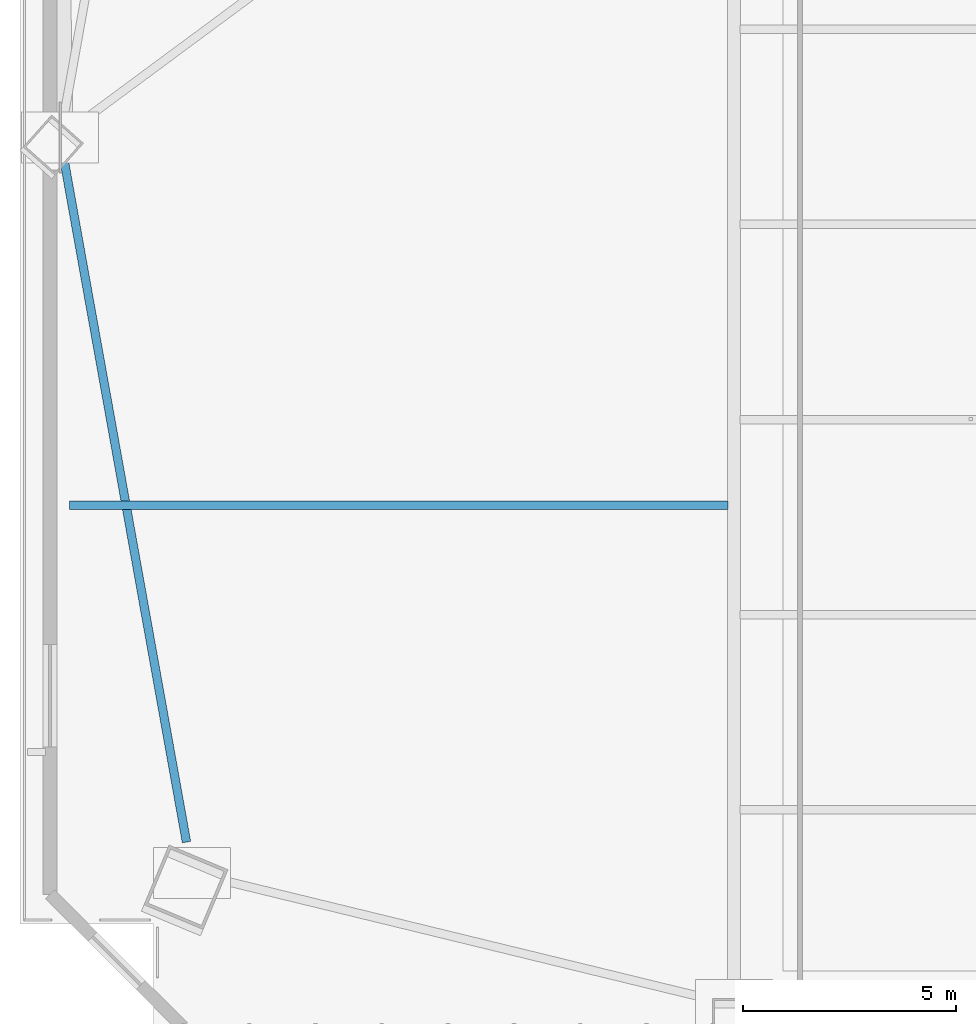
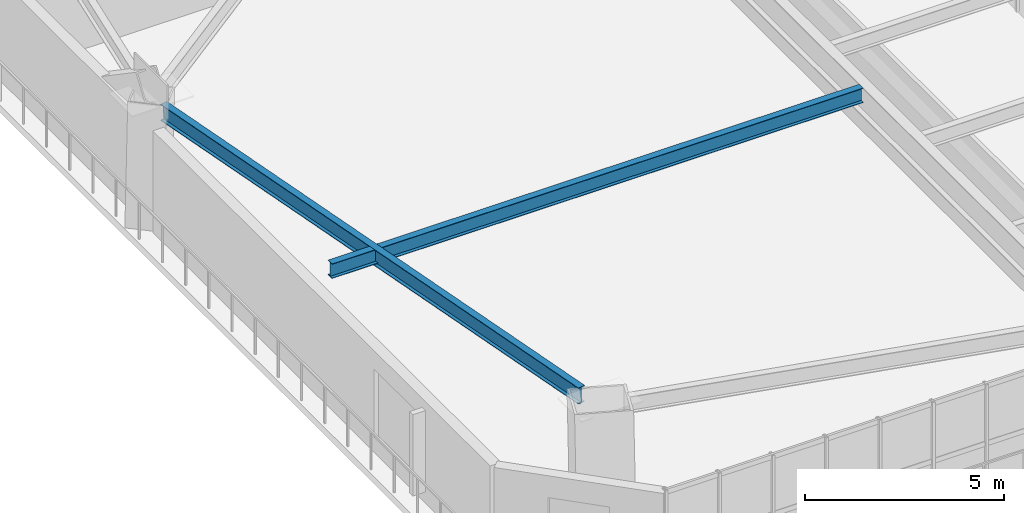
# One storey, part 3 of 18: 2 beams.
"""IFC4 building model written with IfcOpenShell, lengths in metres."""

from ifc_helpers import new_model, si_unit, direction, frame, origin, origin_2d, place, context, subcontext, project, spatial, i_section, extrude, source, transform, mapped, material, material_profile, profile_set, type_object, element, save


model = new_model("IFC4")

# Units and contexts
model_context = context("Model", 3, precision=1e-05, world=origin(), true_north=direction((0.0, 1.0)))
body_context = subcontext(model_context, "Body", "Model", "MODEL_VIEW")
ifc_project = project(units=[si_unit("LENGTHUNIT", "METRE"), si_unit("AREAUNIT", "SQUARE_METRE"), si_unit("VOLUMEUNIT", "CUBIC_METRE"), si_unit("PLANEANGLEUNIT", "RADIAN"), si_unit("MASSUNIT", "GRAM", prefix="KILO")], contexts=[model_context])

# Site, building, storey
site_placement = place(None, origin())
site = spatial("IfcSite", under=ifc_project, at=site_placement, CompositionType="ELEMENT")
building_placement = place(site_placement, origin())
building = spatial("IfcBuilding", under=site, at=building_placement, Name="Giltprow Tower", CompositionType="ELEMENT")
storey_placement = place(building_placement, frame((0.0, 0.0, 68.89990234375)))
storey = spatial("IfcBuildingStorey", under=building, at=storey_placement, Name="L17", CompositionType="ELEMENT", Elevation=68.89990234375)

# Beams
ifc_material = material(Name="Structural steel Q355B", Category="steel")
ifc_material_profile_1 = material_profile(ifc_material, i_section(OverallWidth=0.199951171875, OverallDepth=0.5, WebThickness=0.010009765625, FlangeThickness=0.01611328125, at=origin_2d()), Name="HN 500x200x10x16")
ifc_profile_set_1 = profile_set([ifc_material_profile_1], Name="Structural steel Q355B")
beam_type_1 = type_object("IfcBeamType", Name="BM-SPAN-HN500", PredefinedType="SPANDREL", material=ifc_profile_set_1)
shared_shape_1 = source(origin(), body_context, "Body", "SweptSolid", [
    extrude(i_section(OverallWidth=0.199951171875, OverallDepth=0.5, WebThickness=0.010009765625, FlangeThickness=0.01611328125, at=origin_2d()), origin(), (0.0, 0.0, 1.0), 16.306396484375),
])
beam_1_placement = place(storey_placement, frame((4.1259765625, 25.278076171875, 3.39013671875), z_axis=(0.176625383248, -0.984278148692, 0.0), x_axis=(0.984278148692, 0.176625383248, 0.0)))
element("IfcBeam", 1, at=beam_1_placement, inside=storey, type_object=beam_type_1, Name="L17 Perimeter Spandrel Beam W_MID-MC_SW", PredefinedType="SPANDREL", context=body_context, shape_type="MappedRepresentation", body=[
    mapped(shared_shape_1, transform((0.0, 0.0, 0.0), x_axis=(1.0, 0.0, 0.0), y_axis=(0.0, 1.0, 0.0), z_axis=(0.0, 0.0, 1.0), scale=1.0)),
])
ifc_material_profile_2 = material_profile(ifc_material, i_section(OverallWidth=0.199951171875, OverallDepth=0.449951171875, WebThickness=0.009033203125, FlangeThickness=0.013916015625, at=origin_2d()), Name="HN 450x200x9x14")
ifc_profile_set_2 = profile_set([ifc_material_profile_2], Name="Structural steel Q355B")
beam_type_2 = type_object("IfcBeamType", Name="BM-JOIST-HN450", PredefinedType="JOIST", material=ifc_profile_set_2)
shared_shape_2 = source(origin(), body_context, "Body", "SweptSolid", [
    extrude(i_section(OverallWidth=0.199951171875, OverallDepth=0.449951171875, WebThickness=0.009033203125, FlangeThickness=0.013916015625, at=origin_2d()), origin(), (0.0, 0.0, 1.0), 15.445068359375),
])
beam_2_placement = place(storey_placement, frame((4.260009765625, 17.1298828125, 3.4150390625), z_axis=(1.0, 0.0, 0.0), x_axis=(0.0, 1.0, 0.0)))
element("IfcBeam", 2, at=beam_2_placement, inside=storey, type_object=beam_type_2, Name="L17 West Wing Floor Joist 1", PredefinedType="JOIST", context=body_context, shape_type="MappedRepresentation", body=[
    mapped(shared_shape_2, transform((0.0, 0.0, 0.0), x_axis=(1.0, 0.0, 0.0), y_axis=(0.0, 1.0, 0.0), z_axis=(0.0, 0.0, 1.0), scale=1.0)),
])

save(model, "model.ifc")
